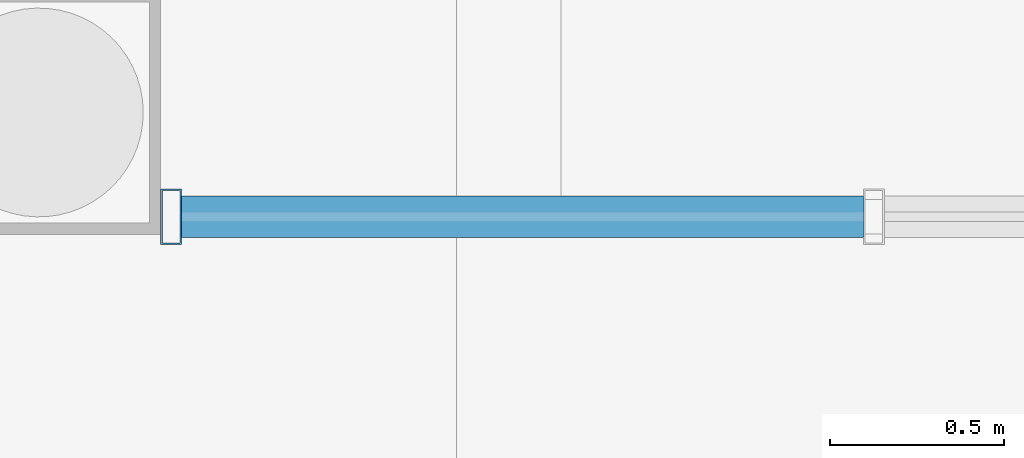
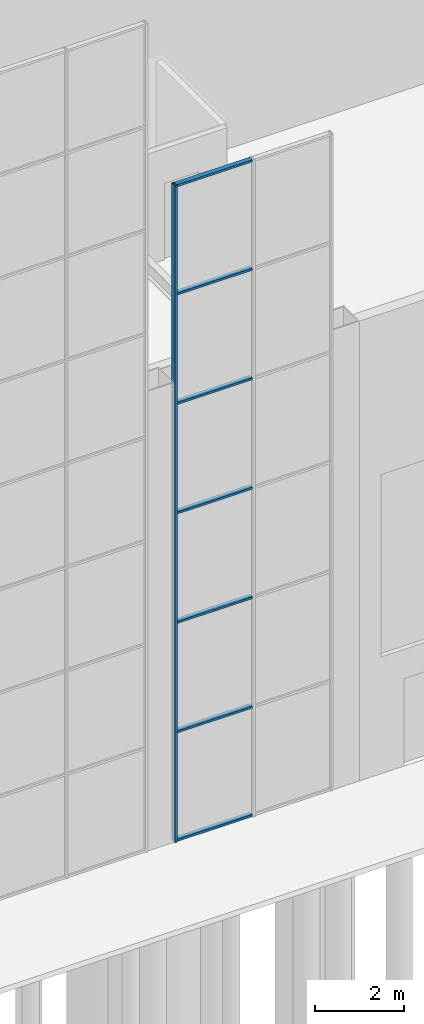
# One storey, part 15 of 58: 8 members, 1 element without a shape of its own.
"""IFC4 building model written with IfcOpenShell, lengths in metres."""

from ifc_helpers import new_model, si_unit, direction, frame, origin, origin_2d, place, context, subcontext, project, spatial, hollow_rectangle, extrude, material, layer, layer_set, material_profile, profile_set, type_object, element, aggregate, save


model = new_model("IFC4")

# Units and contexts
model_context = context("Model", 3, precision=1e-05, world=origin(), true_north=direction((0.0, 1.0)))
body_context = subcontext(model_context, "Body", "Model", "MODEL_VIEW")
ifc_project = project(units=[si_unit("LENGTHUNIT", "METRE"), si_unit("AREAUNIT", "SQUARE_METRE"), si_unit("VOLUMEUNIT", "CUBIC_METRE"), si_unit("PLANEANGLEUNIT", "RADIAN"), si_unit("MASSUNIT", "GRAM", prefix="KILO")], contexts=[model_context])

# Site, building, storey
site_placement = place(None, origin())
site = spatial("IfcSite", under=ifc_project, at=site_placement, CompositionType="ELEMENT")
building_placement = place(site_placement, origin())
building = spatial("IfcBuilding", under=site, at=building_placement, Name="Baori Bourse Tower", CompositionType="ELEMENT")
storey_placement = place(building_placement, origin())
storey = spatial("IfcBuildingStorey", under=building, at=storey_placement, Name="L00", CompositionType="ELEMENT", Elevation=0.0)

# Curtain wall, members
ifc_material_1 = material(Name="Pale anodised aluminium", Category="aluminium")
ifc_layer = layer(ifc_material_1, 0.10009765625)
ifc_layer_set = layer_set([ifc_layer], Name="Wing curtain wall")
curtain_wall_type = type_object("IfcCurtainWallType", Name="Wing curtain wall", PredefinedType="NOTDEFINED", material=ifc_layer_set)
curtain_wall_placement = place(storey_placement, origin())
curtain_wall = element("IfcCurtainWall", 1, at=curtain_wall_placement, inside=storey, type_object=curtain_wall_type, Name="wing/L00/hallcw/002", PredefinedType="NOTDEFINED")
ifc_material_2 = material(Name="Pale anodised aluminium", Category="aluminium")
ifc_material_profile_1 = material_profile(ifc_material_2, hollow_rectangle(XDim=0.159912109375, YDim=0.06005859375, WallThickness=0.0048828125, at=origin_2d()), Name="Mullion 160x60x5")
ifc_profile_set_1 = profile_set([ifc_material_profile_1], Name="Pale anodised aluminium")
member_type_1 = type_object("IfcMemberType", Name="Wing mullion 60x160", PredefinedType="MULLION", material=ifc_profile_set_1)
member_1_placement = place(storey_placement, frame((5.179931640625, -25.14990234375, 0.0), z_axis=(0.0, 0.0, 1.0), x_axis=(0.0, 1.0, 0.0)))
member_1 = element("IfcMember", 2, at=member_1_placement, type_object=member_type_1, Name="X12 mullion 1", PredefinedType="MULLION", context=body_context, shape_type="SweptSolid", body=[
    extrude(hollow_rectangle(XDim=0.159912109375, YDim=0.06005859375, WallThickness=0.0048828125, at=origin_2d()), origin(), (0.0, 0.0, 1.0), 18.0),
])
ifc_material_3 = material(Name="Pale anodised aluminium", Category="aluminium")
ifc_material_profile_2 = material_profile(ifc_material_3, hollow_rectangle(XDim=0.1201171875, YDim=0.06005859375, WallThickness=0.0048828125, at=origin_2d()), Name="Transom 120x60x5")
ifc_profile_set_2 = profile_set([ifc_material_profile_2], Name="Pale anodised aluminium")
member_type_2 = type_object("IfcMemberType", Name="Wing transom 120x60", PredefinedType="USERDEFINED", material=ifc_profile_set_2)
member_2_placement = place(storey_placement, frame((5.2099609375, -25.14990234375, 0.030029296875), z_axis=(1.0, 0.0, 0.0), x_axis=(0.0, 1.0, 0.0)))
member_2 = element("IfcMember", 3, at=member_2_placement, type_object=member_type_2, Name="X12 transom 1.1", ObjectType="TRANSOM", PredefinedType="USERDEFINED", context=body_context, shape_type="SweptSolid", body=[
    extrude(hollow_rectangle(XDim=0.1201171875, YDim=0.06005859375, WallThickness=0.0048828125, at=origin_2d()), origin(), (0.0, 0.0, 1.0), 1.9599609375),
])
member_3_placement = place(storey_placement, frame((5.2099609375, -25.14990234375, 3.0), z_axis=(1.0, 0.0, 0.0), x_axis=(0.0, 1.0, 0.0)))
member_3 = element("IfcMember", 4, at=member_3_placement, type_object=member_type_2, Name="X12 transom 1.2", ObjectType="TRANSOM", PredefinedType="USERDEFINED", context=body_context, shape_type="SweptSolid", body=[
    extrude(hollow_rectangle(XDim=0.1201171875, YDim=0.06005859375, WallThickness=0.0048828125, at=origin_2d()), origin(), (0.0, 0.0, 1.0), 1.9599609375),
])
member_4_placement = place(storey_placement, frame((5.2099609375, -25.14990234375, 6.0), z_axis=(1.0, 0.0, 0.0), x_axis=(0.0, 1.0, 0.0)))
member_4 = element("IfcMember", 5, at=member_4_placement, type_object=member_type_2, Name="X12 transom 1.3", ObjectType="TRANSOM", PredefinedType="USERDEFINED", context=body_context, shape_type="SweptSolid", body=[
    extrude(hollow_rectangle(XDim=0.1201171875, YDim=0.06005859375, WallThickness=0.0048828125, at=origin_2d()), origin(), (0.0, 0.0, 1.0), 1.9599609375),
])
member_5_placement = place(storey_placement, frame((5.2099609375, -25.14990234375, 9.0), z_axis=(1.0, 0.0, 0.0), x_axis=(0.0, 1.0, 0.0)))
member_5 = element("IfcMember", 6, at=member_5_placement, type_object=member_type_2, Name="X12 transom 1.4", ObjectType="TRANSOM", PredefinedType="USERDEFINED", context=body_context, shape_type="SweptSolid", body=[
    extrude(hollow_rectangle(XDim=0.1201171875, YDim=0.06005859375, WallThickness=0.0048828125, at=origin_2d()), origin(), (0.0, 0.0, 1.0), 1.9599609375),
])
member_6_placement = place(storey_placement, frame((5.2099609375, -25.14990234375, 12.0), z_axis=(1.0, 0.0, 0.0), x_axis=(0.0, 1.0, 0.0)))
member_6 = element("IfcMember", 7, at=member_6_placement, type_object=member_type_2, Name="X12 transom 1.5", ObjectType="TRANSOM", PredefinedType="USERDEFINED", context=body_context, shape_type="SweptSolid", body=[
    extrude(hollow_rectangle(XDim=0.1201171875, YDim=0.06005859375, WallThickness=0.0048828125, at=origin_2d()), origin(), (0.0, 0.0, 1.0), 1.9599609375),
])
member_7_placement = place(storey_placement, frame((5.2099609375, -25.14990234375, 15.0), z_axis=(1.0, 0.0, 0.0), x_axis=(0.0, 1.0, 0.0)))
member_7 = element("IfcMember", 8, at=member_7_placement, type_object=member_type_2, Name="X12 transom 1.6", ObjectType="TRANSOM", PredefinedType="USERDEFINED", context=body_context, shape_type="SweptSolid", body=[
    extrude(hollow_rectangle(XDim=0.1201171875, YDim=0.06005859375, WallThickness=0.0048828125, at=origin_2d()), origin(), (0.0, 0.0, 1.0), 1.9599609375),
])
member_8_placement = place(storey_placement, frame((5.2099609375, -25.14990234375, 17.969970703125), z_axis=(1.0, 0.0, 0.0), x_axis=(0.0, 1.0, 0.0)))
member_8 = element("IfcMember", 9, at=member_8_placement, type_object=member_type_2, Name="X12 transom 1.7", ObjectType="TRANSOM", PredefinedType="USERDEFINED", context=body_context, shape_type="SweptSolid", body=[
    extrude(hollow_rectangle(XDim=0.1201171875, YDim=0.06005859375, WallThickness=0.0048828125, at=origin_2d()), origin(), (0.0, 0.0, 1.0), 1.9599609375),
])
aggregate(curtain_wall, [member_1, member_2, member_3, member_4, member_5, member_6, member_7, member_8])

save(model, "model.ifc")
